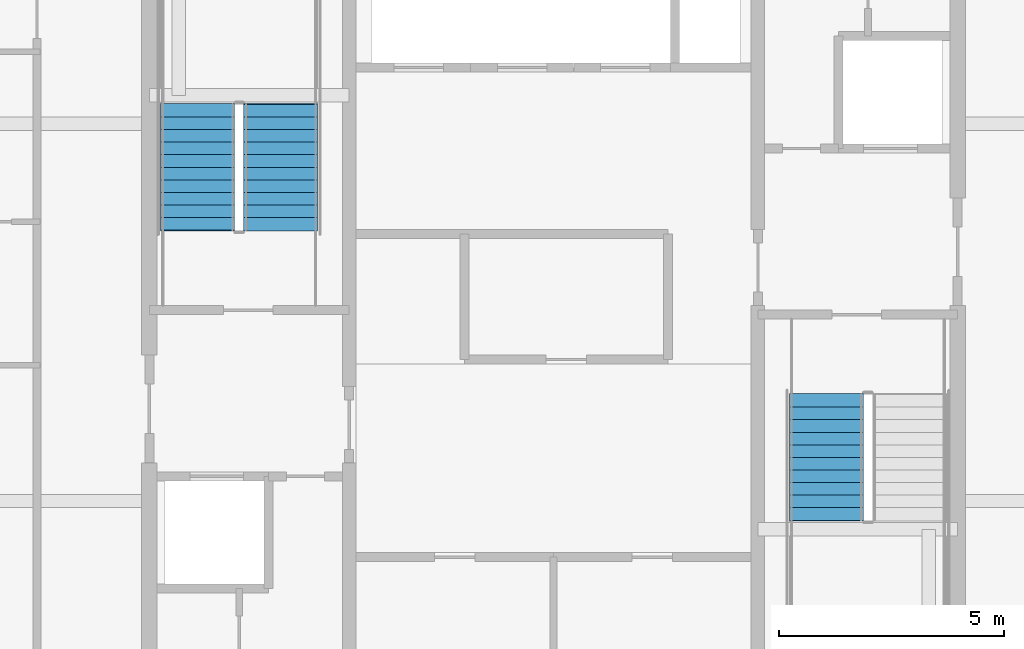
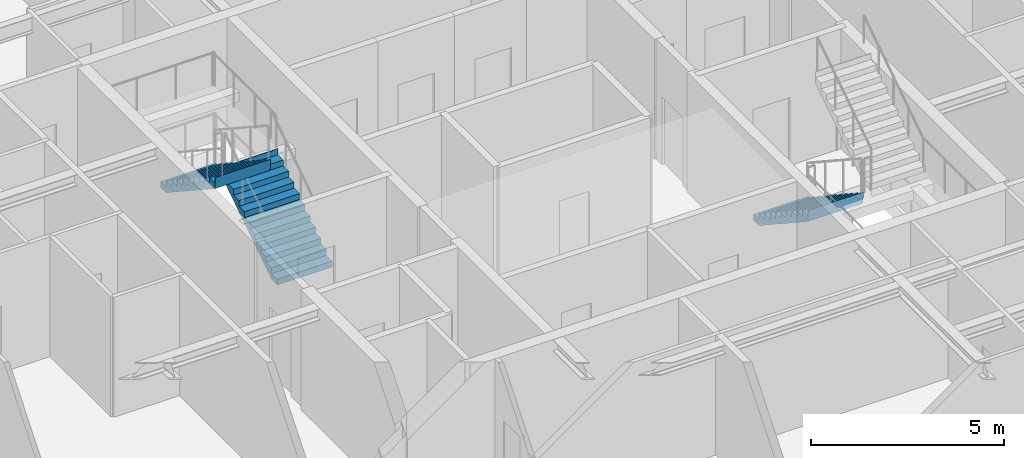
# One storey, part 30 of 36: 3 stair flights, 2 elements without a shape of their own.
"""IFC4 building model written with IfcOpenShell, lengths in metres."""

import ifcopenshell
import ifcopenshell.guid

model = None  # the IFC model being written
_history = None  # IfcOwnerHistory: only IFC2X3 demands one
_inside = {}  # id of a spatial element -> (the spatial element, [elements in it])
_under = {}  # id of a project, library or spatial element -> (it, [spatial elements below it])
_declared = {}  # id of a project -> (the project, [libraries it declares])
_typed = {}  # id of a type object -> (the type object, [elements of that type])
_made_of = {}  # id of a material, layer set ... -> (it, [elements and type objects made of it])


def new_model(schema):
    """Start an empty IFC model of exactly this schema.

    Asked for "IFC4X3", IfcOpenShell would pick the latest addendum, in which some entities
    have other attributes; the version numbers below select the first issue.
    IFC2X3 requires an IfcOwnerHistory on every rooted entity: one is made here for all.
    """
    global model, _history
    if schema == "IFC4X3":
        model = ifcopenshell.file(schema_version=(4, 3, 0, 0))
    else:
        model = ifcopenshell.file(schema=schema)
    _inside.clear()
    _under.clear()
    _declared.clear()
    _typed.clear()
    _made_of.clear()
    _history = None
    if model.schema == "IFC2X3":
        org = make("IfcOrganization", Name="unknown")
        user = make(
            "IfcPersonAndOrganization",
            ThePerson=make("IfcPerson", FamilyName="unknown"),
            TheOrganization=org,
        )
        app = make(
            "IfcApplication",
            ApplicationDeveloper=org,
            Version="unknown",
            ApplicationFullName="unknown",
            ApplicationIdentifier="unknown",
        )
        _history = make(
            "IfcOwnerHistory",
            OwningUser=user,
            OwningApplication=app,
            ChangeAction="ADDED",
            CreationDate=0,
        )
    return model


def make(cls, **values):
    """One entity of the class cls with the attributes given. An attribute that is None is left unset."""
    return model.create_entity(
        cls, **{name: value for name, value in values.items() if value is not None}
    )


def rooted(cls, **values):
    """An entity with a GlobalId (a new one), such as an element, a storey or a relation."""
    return make(cls, GlobalId=ifcopenshell.guid.new(), OwnerHistory=_history, **values)


def si_unit(unit_type, name, prefix=None):
    """IfcSIUnit, for example si_unit("LENGTHUNIT", "METRE", prefix="MILLI")."""
    return make("IfcSIUnit", UnitType=unit_type, Prefix=prefix, Name=name)


def assignment(units):
    """IfcUnitAssignment: the units of a project."""
    return None if units is None else make("IfcUnitAssignment", Units=units)


def point(xyz):
    """IfcCartesianPoint."""
    return None if xyz is None else make("IfcCartesianPoint", Coordinates=xyz)


def direction(xyz):
    """IfcDirection."""
    return None if xyz is None else make("IfcDirection", DirectionRatios=xyz)


def frame(location, z_axis=None, x_axis=None):
    """IfcAxis2Placement3D, a coordinate frame: its origin and axes. An axis left out is left unset."""
    return make(
        "IfcAxis2Placement3D",
        Location=point(location),
        Axis=direction(z_axis),
        RefDirection=direction(x_axis),
    )


def origin():
    """The frame at (0, 0, 0) with its axes left unset."""
    return frame((0.0, 0.0, 0.0))


def place(relative_to, where):
    """IfcLocalPlacement: puts the frame where relative to a parent placement (None: the world)."""
    return make(
        "IfcLocalPlacement", PlacementRelTo=relative_to, RelativePlacement=where
    )


def context(
    kind, dimensions, precision=None, world=None, true_north=None, identifier=None
):
    """IfcGeometricRepresentationContext, for example the 3D "Model" context."""
    return make(
        "IfcGeometricRepresentationContext",
        ContextIdentifier=identifier,
        ContextType=kind,
        CoordinateSpaceDimension=dimensions,
        Precision=precision,
        WorldCoordinateSystem=world,
        TrueNorth=true_north,
    )


def subcontext(parent, identifier, kind, view, scale=None):
    """IfcGeometricRepresentationSubContext, for example "Body" below "Model"."""
    return make(
        "IfcGeometricRepresentationSubContext",
        ContextIdentifier=identifier,
        ContextType=kind,
        ParentContext=parent,
        TargetScale=scale,
        TargetView=view,
    )


def project(units=None, contexts=None):
    """IfcProject with its units and contexts."""
    return rooted(
        "IfcProject",
        Name="project",
        RepresentationContexts=contexts,
        UnitsInContext=assignment(units),
    )


def spatial(cls, under=None, at=None, **own):
    """A site, building, storey or space (cls), placed at a placement, below another one or the project."""
    s = rooted(cls, ObjectPlacement=at, **own)
    if under is not None:
        _under.setdefault(under.id(), (under, []))[1].append(s)
    return s


def point_list(points):
    """IfcCartesianPointList2D or 3D."""
    cls = (
        "IfcCartesianPointList2D" if len(points[0]) == 2 else "IfcCartesianPointList3D"
    )
    return make(cls, CoordList=points)


def polygons(points, faces, closed=None, point_numbers=None):
    """IfcPolygonalFaceSet: a face is its outer loop, then its inner loops; points numbered from 1."""
    made = []
    for loops in faces:
        if len(loops) == 1:
            made.append(make("IfcIndexedPolygonalFace", CoordIndex=loops[0]))
        else:
            made.append(
                make(
                    "IfcIndexedPolygonalFaceWithVoids",
                    CoordIndex=loops[0],
                    InnerCoordIndices=loops[1:],
                )
            )
    return make(
        "IfcPolygonalFaceSet",
        Coordinates=point_list(points),
        Closed=closed,
        Faces=made,
        PnIndex=point_numbers,
    )


def shape(context_of_items, identifier, shape_type, items):
    """IfcShapeRepresentation: the items that make up one representation, for example the "Body"."""
    return make(
        "IfcShapeRepresentation",
        ContextOfItems=context_of_items,
        RepresentationIdentifier=identifier,
        RepresentationType=shape_type,
        Items=items,
    )


def material(Name=None, Category=None):
    """IfcMaterial."""
    return make("IfcMaterial", Name=Name, Category=Category)


def made_of(thing, what):
    """Note that an element or type object is made of a material, layer set ...; save() writes the relation."""
    if what is not None:
        _made_of.setdefault(what.id(), (what, []))[1].append(thing)
    return thing


def type_object(cls, material=None, **own):
    """A type object (cls), such as IfcWallType, which elements share."""
    return made_of(rooted(cls, **own), material)


def element(
    cls,
    number,
    at=None,
    inside=None,
    cuts=None,
    type_object=None,
    material=None,
    context=None,
    identifier="Body",
    shape_type=None,
    held_by="IfcProductDefinitionShape",
    body=None,
    shapes=None,
    **own,
):
    """One element of the class cls, such as IfcWall. Its Tag is "e" and its number.

    at: its placement. inside: the storey or other place that contains it. cuts: it is an
    opening in that element (IfcRelVoidsElement). A single representation is given by context,
    identifier, shape_type and body (its items); several are given by shapes. held_by: the class
    of the entity that holds the representations. save() writes the other relations.
    """
    e = rooted(cls, Tag="e%d" % number, ObjectPlacement=at, **own)
    if body is not None:
        shapes = [shape(context, identifier, shape_type, body)]
    if shapes is not None:
        e.Representation = make(held_by, Representations=shapes)
    if inside is not None:
        _inside.setdefault(inside.id(), (inside, []))[1].append(e)
    if cuts is not None:
        rooted(
            "IfcRelVoidsElement", RelatingBuildingElement=cuts, RelatedOpeningElement=e
        )
    if type_object is not None:
        _typed.setdefault(type_object.id(), (type_object, []))[1].append(e)
    return made_of(e, material)


def aggregate(whole, parts):
    """IfcRelAggregates: a whole, such as a stair, and the parts it consists of."""
    return rooted("IfcRelAggregates", RelatingObject=whole, RelatedObjects=parts)


def save(model, path):
    """Write the relations noted so far, then the file.

    IfcRelAggregates (storeys below a building ...), IfcRelContainedInSpatialStructure (elements
    in a storey), IfcRelDefinesByType, IfcRelAssociatesMaterial and IfcRelDeclares: one each for
    every whole, place, type object, material and project.
    """
    for whole, parts in _under.values():
        aggregate(whole, parts)
    for where, things in _inside.values():
        rooted(
            "IfcRelContainedInSpatialStructure",
            RelatedElements=things,
            RelatingStructure=where,
        )
    for kind, things in _typed.values():
        rooted("IfcRelDefinesByType", RelatedObjects=things, RelatingType=kind)
    for what, things in _made_of.values():
        rooted("IfcRelAssociatesMaterial", RelatedObjects=things, RelatingMaterial=what)
    for by, libraries in _declared.values():
        rooted("IfcRelDeclares", RelatingContext=by, RelatedDefinitions=libraries)
    model.write(path)


model = new_model("IFC4")

# Units and contexts
model_context = context("Model", 3, precision=1e-05, world=origin(), true_north=direction((0.0, 1.0)))
body_context = subcontext(model_context, "Body", "Model", "MODEL_VIEW")
ifc_project = project(units=[si_unit("LENGTHUNIT", "METRE"), si_unit("AREAUNIT", "SQUARE_METRE"), si_unit("VOLUMEUNIT", "CUBIC_METRE"), si_unit("PLANEANGLEUNIT", "RADIAN"), si_unit("MASSUNIT", "GRAM", prefix="KILO")], contexts=[model_context])

# Site, building, storey
site_placement = place(None, origin())
site = spatial("IfcSite", under=ifc_project, at=site_placement, CompositionType="ELEMENT")
building_placement = place(site_placement, origin())
building = spatial("IfcBuilding", under=site, at=building_placement, Name="Serunith Strait Residences", CompositionType="ELEMENT")
storey_placement = place(building_placement, frame((0.0, 0.0, 338.0)))
storey = spatial("IfcBuildingStorey", under=building, at=storey_placement, Name="L84", CompositionType="ELEMENT", Elevation=338.0)

# Stair, stair flights
ifc_material = material(Name="Concrete C50/60", Category="concrete")
stair_type_1 = type_object("IfcStairType", Name="STR-CORE-1", PredefinedType="HALF_TURN_STAIR", material=ifc_material)
stair_1_placement = place(storey_placement, origin())
stair_1 = element("IfcStair", 1, at=stair_1_placement, inside=storey, type_object=stair_type_1, Name="L84 Protected Escape Stair ST-1", PredefinedType="HALF_TURN_STAIR")
stair_flight_type_1 = type_object("IfcStairFlightType", Name="FLT-CORE-1", PredefinedType="STRAIGHT", material=ifc_material)
stair_flight_1_placement = place(storey_placement, frame((26.324951171875, 27.030029296875, 0.0), z_axis=(0.0, 0.0, 1.0), x_axis=(0.0, 1.0, 0.0)))
stair_flight_1 = element("IfcStairFlight", 2, at=stair_flight_1_placement, type_object=stair_flight_type_1, Name="ST-1 flight 1", NumberOfRisers=11, NumberOfTreads=10, PredefinedType="STRAIGHT", RiserHeight=0.184090909, TreadLength=0.28, context=body_context, shape_type="Tessellation", body=[
    polygons([(-0.02001953125, -0.824951171875, 0.0), (-0.02001953125, -0.824951171875, 0.18408203125), (0.280029296875, -0.824951171875, 0.18408203125), (0.280029296875, -0.824951171875, 0.3681640625), (0.56005859375, -0.824951171875, 0.3681640625), (0.56005859375, -0.824951171875, 0.55224609375), (0.840087890625, -0.824951171875, 0.55224609375), (0.840087890625, -0.824951171875, 0.736328125), (1.1201171875, -0.824951171875, 0.736328125), (1.1201171875, -0.824951171875, 0.92041015625), (1.39990234375, -0.824951171875, 0.92041015625), (1.39990234375, -0.824951171875, 1.1044921875), (1.679931640625, -0.824951171875, 1.1044921875), (1.679931640625, -0.824951171875, 1.28857421875), (1.9599609375, -0.824951171875, 1.28857421875), (1.9599609375, -0.824951171875, 1.47265625), (2.239990234375, -0.824951171875, 1.47265625), (2.239990234375, -0.824951171875, 1.65673828125), (2.52001953125, -0.824951171875, 1.65673828125), (2.52001953125, -0.824951171875, 1.8408203125), (2.800048828125, -0.824951171875, 1.8408203125), (2.800048828125, -0.824951171875, 2.02490234375), (2.820068359375, -0.824951171875, 2.02490234375), (2.820068359375, -0.824951171875, 1.965087890625), (2.800048828125, -0.824951171875, 1.66162109375), (0.27294921875, -0.824951171875, 0.0), (-0.02001953125, -0.41259765625, 0.0), (-0.02001953125, -0.41259765625, 0.18408203125), (0.280029296875, -0.41259765625, 0.18408203125), (0.280029296875, -0.41259765625, 0.3681640625), (0.56005859375, -0.41259765625, 0.3681640625), (0.56005859375, -0.41259765625, 0.55224609375), (0.840087890625, -0.41259765625, 0.55224609375), (0.840087890625, -0.41259765625, 0.736328125), (1.1201171875, -0.41259765625, 0.736328125), (1.1201171875, -0.41259765625, 0.92041015625), (1.39990234375, -0.41259765625, 0.92041015625), (1.39990234375, -0.41259765625, 1.1044921875), (1.679931640625, -0.41259765625, 1.1044921875), (1.679931640625, -0.41259765625, 1.28857421875), (1.9599609375, -0.41259765625, 1.28857421875), (1.9599609375, -0.41259765625, 1.47265625), (2.239990234375, -0.41259765625, 1.47265625), (2.239990234375, -0.41259765625, 1.65673828125), (2.52001953125, -0.41259765625, 1.65673828125), (2.52001953125, -0.41259765625, 1.8408203125), (2.800048828125, -0.41259765625, 1.8408203125), (2.800048828125, -0.41259765625, 2.02490234375), (2.820068359375, -0.41259765625, 2.02490234375), (2.820068359375, -0.41259765625, 1.965087890625), (2.800048828125, -0.41259765625, 1.66162109375), (0.27294921875, -0.41259765625, 0.0), (-0.02001953125, 0.0, 0.0), (-0.02001953125, 0.0, 0.18408203125), (0.280029296875, 0.0, 0.18408203125), (0.280029296875, 0.0, 0.3681640625), (0.56005859375, 0.0, 0.3681640625), (0.56005859375, 0.0, 0.55224609375), (0.840087890625, 0.0, 0.55224609375), (0.840087890625, 0.0, 0.736328125), (1.1201171875, 0.0, 0.736328125), (1.1201171875, 0.0, 0.92041015625), (1.39990234375, 0.0, 0.92041015625), (1.39990234375, 0.0, 1.1044921875), (1.679931640625, 0.0, 1.1044921875), (1.679931640625, 0.0, 1.28857421875), (1.9599609375, 0.0, 1.28857421875), (1.9599609375, 0.0, 1.47265625), (2.239990234375, 0.0, 1.47265625), (2.239990234375, 0.0, 1.65673828125), (2.52001953125, 0.0, 1.65673828125), (2.52001953125, 0.0, 1.8408203125), (2.800048828125, 0.0, 1.8408203125), (2.800048828125, 0.0, 2.02490234375), (2.820068359375, 0.0, 2.02490234375), (2.820068359375, 0.0, 1.965087890625), (2.800048828125, 0.0, 1.66162109375), (0.27294921875, 0.0, 0.0), (-0.02001953125, 0.41259765625, 0.0), (-0.02001953125, 0.41259765625, 0.18408203125), (0.280029296875, 0.41259765625, 0.18408203125), (0.280029296875, 0.41259765625, 0.3681640625), (0.56005859375, 0.41259765625, 0.3681640625), (0.56005859375, 0.41259765625, 0.55224609375), (0.840087890625, 0.41259765625, 0.55224609375), (0.840087890625, 0.41259765625, 0.736328125), (1.1201171875, 0.41259765625, 0.736328125), (1.1201171875, 0.41259765625, 0.92041015625), (1.39990234375, 0.41259765625, 0.92041015625), (1.39990234375, 0.41259765625, 1.1044921875), (1.679931640625, 0.41259765625, 1.1044921875), (1.679931640625, 0.41259765625, 1.28857421875), (1.9599609375, 0.41259765625, 1.28857421875), (1.9599609375, 0.41259765625, 1.47265625), (2.239990234375, 0.41259765625, 1.47265625), (2.239990234375, 0.41259765625, 1.65673828125), (2.52001953125, 0.41259765625, 1.65673828125), (2.52001953125, 0.41259765625, 1.8408203125), (2.800048828125, 0.41259765625, 1.8408203125), (2.800048828125, 0.41259765625, 2.02490234375), (2.820068359375, 0.41259765625, 2.02490234375), (2.820068359375, 0.41259765625, 1.965087890625), (2.800048828125, 0.41259765625, 1.66162109375), (0.27294921875, 0.41259765625, 0.0), (-0.02001953125, 0.824951171875, 0.0), (-0.02001953125, 0.824951171875, 0.18408203125), (0.280029296875, 0.824951171875, 0.18408203125), (0.280029296875, 0.824951171875, 0.3681640625), (0.56005859375, 0.824951171875, 0.3681640625), (0.56005859375, 0.824951171875, 0.55224609375), (0.840087890625, 0.824951171875, 0.55224609375), (0.840087890625, 0.824951171875, 0.736328125), (1.1201171875, 0.824951171875, 0.736328125), (1.1201171875, 0.824951171875, 0.92041015625), (1.39990234375, 0.824951171875, 0.92041015625), (1.39990234375, 0.824951171875, 1.1044921875), (1.679931640625, 0.824951171875, 1.1044921875), (1.679931640625, 0.824951171875, 1.28857421875), (1.9599609375, 0.824951171875, 1.28857421875), (1.9599609375, 0.824951171875, 1.47265625), (2.239990234375, 0.824951171875, 1.47265625), (2.239990234375, 0.824951171875, 1.65673828125), (2.52001953125, 0.824951171875, 1.65673828125), (2.52001953125, 0.824951171875, 1.8408203125), (2.800048828125, 0.824951171875, 1.8408203125), (2.800048828125, 0.824951171875, 2.02490234375), (2.820068359375, 0.824951171875, 2.02490234375), (2.820068359375, 0.824951171875, 1.965087890625), (2.800048828125, 0.824951171875, 1.66162109375), (0.27294921875, 0.824951171875, 0.0)], [[[1, 2, 28, 27]], [[2, 3, 29, 28]], [[3, 4, 30, 29]], [[4, 5, 31, 30]], [[5, 6, 32, 31]], [[6, 7, 33, 32]], [[7, 8, 34, 33]], [[8, 9, 35, 34]], [[9, 10, 36, 35]], [[10, 11, 37, 36]], [[11, 12, 38, 37]], [[12, 13, 39, 38]], [[13, 14, 40, 39]], [[14, 15, 41, 40]], [[15, 16, 42, 41]], [[16, 17, 43, 42]], [[17, 18, 44, 43]], [[18, 19, 45, 44]], [[19, 20, 46, 45]], [[20, 21, 47, 46]], [[21, 22, 48, 47]], [[22, 23, 49, 48]], [[23, 24, 50, 49]], [[24, 25, 51, 50]], [[25, 26, 52, 51]], [[26, 1, 27, 52]], [[27, 28, 54, 53]], [[28, 29, 55, 54]], [[29, 30, 56, 55]], [[30, 31, 57, 56]], [[31, 32, 58, 57]], [[32, 33, 59, 58]], [[33, 34, 60, 59]], [[34, 35, 61, 60]], [[35, 36, 62, 61]], [[36, 37, 63, 62]], [[37, 38, 64, 63]], [[38, 39, 65, 64]], [[39, 40, 66, 65]], [[40, 41, 67, 66]], [[41, 42, 68, 67]], [[42, 43, 69, 68]], [[43, 44, 70, 69]], [[44, 45, 71, 70]], [[45, 46, 72, 71]], [[46, 47, 73, 72]], [[47, 48, 74, 73]], [[48, 49, 75, 74]], [[49, 50, 76, 75]], [[50, 51, 77, 76]], [[51, 52, 78, 77]], [[52, 27, 53, 78]], [[53, 54, 80, 79]], [[54, 55, 81, 80]], [[55, 56, 82, 81]], [[56, 57, 83, 82]], [[57, 58, 84, 83]], [[58, 59, 85, 84]], [[59, 60, 86, 85]], [[60, 61, 87, 86]], [[61, 62, 88, 87]], [[62, 63, 89, 88]], [[63, 64, 90, 89]], [[64, 65, 91, 90]], [[65, 66, 92, 91]], [[66, 67, 93, 92]], [[67, 68, 94, 93]], [[68, 69, 95, 94]], [[69, 70, 96, 95]], [[70, 71, 97, 96]], [[71, 72, 98, 97]], [[72, 73, 99, 98]], [[73, 74, 100, 99]], [[74, 75, 101, 100]], [[75, 76, 102, 101]], [[76, 77, 103, 102]], [[77, 78, 104, 103]], [[78, 53, 79, 104]], [[79, 80, 106, 105]], [[80, 81, 107, 106]], [[81, 82, 108, 107]], [[82, 83, 109, 108]], [[83, 84, 110, 109]], [[84, 85, 111, 110]], [[85, 86, 112, 111]], [[86, 87, 113, 112]], [[87, 88, 114, 113]], [[88, 89, 115, 114]], [[89, 90, 116, 115]], [[90, 91, 117, 116]], [[91, 92, 118, 117]], [[92, 93, 119, 118]], [[93, 94, 120, 119]], [[94, 95, 121, 120]], [[95, 96, 122, 121]], [[96, 97, 123, 122]], [[97, 98, 124, 123]], [[98, 99, 125, 124]], [[99, 100, 126, 125]], [[100, 101, 127, 126]], [[101, 102, 128, 127]], [[102, 103, 129, 128]], [[103, 104, 130, 129]], [[104, 79, 105, 130]], [[26, 25, 24, 23, 22, 21, 20, 19, 18, 17, 16, 15, 14, 13, 12, 11, 10, 9, 8, 7, 6, 5, 4, 3, 2, 1]], [[105, 106, 107, 108, 109, 110, 111, 112, 113, 114, 115, 116, 117, 118, 119, 120, 121, 122, 123, 124, 125, 126, 127, 128, 129, 130]]], closed=True),
])
stair_flight_2_placement = place(storey_placement, frame((24.47509765625, 29.830078125, 2.02490234375), z_axis=(0.0, 0.0, 1.0), x_axis=(0.0, -1.0, 0.0)))
stair_flight_2 = element("IfcStairFlight", 3, at=stair_flight_2_placement, type_object=stair_flight_type_1, Name="ST-1 flight 2", NumberOfRisers=11, NumberOfTreads=10, PredefinedType="STRAIGHT", RiserHeight=0.184090909, TreadLength=0.28, context=body_context, shape_type="Tessellation", body=[
    polygons([(-0.02001953125, -0.824951171875, 0.0), (-0.02001953125, -0.824951171875, 0.18408203125), (0.280029296875, -0.824951171875, 0.18408203125), (0.280029296875, -0.824951171875, 0.3681640625), (0.56005859375, -0.824951171875, 0.3681640625), (0.56005859375, -0.824951171875, 0.55224609375), (0.840087890625, -0.824951171875, 0.55224609375), (0.840087890625, -0.824951171875, 0.736328125), (1.1201171875, -0.824951171875, 0.736328125), (1.1201171875, -0.824951171875, 0.92041015625), (1.39990234375, -0.824951171875, 0.92041015625), (1.39990234375, -0.824951171875, 1.1044921875), (1.679931640625, -0.824951171875, 1.1044921875), (1.679931640625, -0.824951171875, 1.28857421875), (1.9599609375, -0.824951171875, 1.28857421875), (1.9599609375, -0.824951171875, 1.47265625), (2.239990234375, -0.824951171875, 1.47265625), (2.239990234375, -0.824951171875, 1.65673828125), (2.52001953125, -0.824951171875, 1.65673828125), (2.52001953125, -0.824951171875, 1.8408203125), (2.800048828125, -0.824951171875, 1.8408203125), (2.800048828125, -0.824951171875, 2.02490234375), (2.820068359375, -0.824951171875, 2.02490234375), (2.820068359375, -0.824951171875, 1.965087890625), (2.800048828125, -0.824951171875, 1.66162109375), (0.27294921875, -0.824951171875, 0.0), (-0.02001953125, -0.41259765625, 0.0), (-0.02001953125, -0.41259765625, 0.18408203125), (0.280029296875, -0.41259765625, 0.18408203125), (0.280029296875, -0.41259765625, 0.3681640625), (0.56005859375, -0.41259765625, 0.3681640625), (0.56005859375, -0.41259765625, 0.55224609375), (0.840087890625, -0.41259765625, 0.55224609375), (0.840087890625, -0.41259765625, 0.736328125), (1.1201171875, -0.41259765625, 0.736328125), (1.1201171875, -0.41259765625, 0.92041015625), (1.39990234375, -0.41259765625, 0.92041015625), (1.39990234375, -0.41259765625, 1.1044921875), (1.679931640625, -0.41259765625, 1.1044921875), (1.679931640625, -0.41259765625, 1.28857421875), (1.9599609375, -0.41259765625, 1.28857421875), (1.9599609375, -0.41259765625, 1.47265625), (2.239990234375, -0.41259765625, 1.47265625), (2.239990234375, -0.41259765625, 1.65673828125), (2.52001953125, -0.41259765625, 1.65673828125), (2.52001953125, -0.41259765625, 1.8408203125), (2.800048828125, -0.41259765625, 1.8408203125), (2.800048828125, -0.41259765625, 2.02490234375), (2.820068359375, -0.41259765625, 2.02490234375), (2.820068359375, -0.41259765625, 1.965087890625), (2.800048828125, -0.41259765625, 1.66162109375), (0.27294921875, -0.41259765625, 0.0), (-0.02001953125, 0.0, 0.0), (-0.02001953125, 0.0, 0.18408203125), (0.280029296875, 0.0, 0.18408203125), (0.280029296875, 0.0, 0.3681640625), (0.56005859375, 0.0, 0.3681640625), (0.56005859375, 0.0, 0.55224609375), (0.840087890625, 0.0, 0.55224609375), (0.840087890625, 0.0, 0.736328125), (1.1201171875, 0.0, 0.736328125), (1.1201171875, 0.0, 0.92041015625), (1.39990234375, 0.0, 0.92041015625), (1.39990234375, 0.0, 1.1044921875), (1.679931640625, 0.0, 1.1044921875), (1.679931640625, 0.0, 1.28857421875), (1.9599609375, 0.0, 1.28857421875), (1.9599609375, 0.0, 1.47265625), (2.239990234375, 0.0, 1.47265625), (2.239990234375, 0.0, 1.65673828125), (2.52001953125, 0.0, 1.65673828125), (2.52001953125, 0.0, 1.8408203125), (2.800048828125, 0.0, 1.8408203125), (2.800048828125, 0.0, 2.02490234375), (2.820068359375, 0.0, 2.02490234375), (2.820068359375, 0.0, 1.965087890625), (2.800048828125, 0.0, 1.66162109375), (0.27294921875, 0.0, 0.0), (-0.02001953125, 0.41259765625, 0.0), (-0.02001953125, 0.41259765625, 0.18408203125), (0.280029296875, 0.41259765625, 0.18408203125), (0.280029296875, 0.41259765625, 0.3681640625), (0.56005859375, 0.41259765625, 0.3681640625), (0.56005859375, 0.41259765625, 0.55224609375), (0.840087890625, 0.41259765625, 0.55224609375), (0.840087890625, 0.41259765625, 0.736328125), (1.1201171875, 0.41259765625, 0.736328125), (1.1201171875, 0.41259765625, 0.92041015625), (1.39990234375, 0.41259765625, 0.92041015625), (1.39990234375, 0.41259765625, 1.1044921875), (1.679931640625, 0.41259765625, 1.1044921875), (1.679931640625, 0.41259765625, 1.28857421875), (1.9599609375, 0.41259765625, 1.28857421875), (1.9599609375, 0.41259765625, 1.47265625), (2.239990234375, 0.41259765625, 1.47265625), (2.239990234375, 0.41259765625, 1.65673828125), (2.52001953125, 0.41259765625, 1.65673828125), (2.52001953125, 0.41259765625, 1.8408203125), (2.800048828125, 0.41259765625, 1.8408203125), (2.800048828125, 0.41259765625, 2.02490234375), (2.820068359375, 0.41259765625, 2.02490234375), (2.820068359375, 0.41259765625, 1.965087890625), (2.800048828125, 0.41259765625, 1.66162109375), (0.27294921875, 0.41259765625, 0.0), (-0.02001953125, 0.824951171875, 0.0), (-0.02001953125, 0.824951171875, 0.18408203125), (0.280029296875, 0.824951171875, 0.18408203125), (0.280029296875, 0.824951171875, 0.3681640625), (0.56005859375, 0.824951171875, 0.3681640625), (0.56005859375, 0.824951171875, 0.55224609375), (0.840087890625, 0.824951171875, 0.55224609375), (0.840087890625, 0.824951171875, 0.736328125), (1.1201171875, 0.824951171875, 0.736328125), (1.1201171875, 0.824951171875, 0.92041015625), (1.39990234375, 0.824951171875, 0.92041015625), (1.39990234375, 0.824951171875, 1.1044921875), (1.679931640625, 0.824951171875, 1.1044921875), (1.679931640625, 0.824951171875, 1.28857421875), (1.9599609375, 0.824951171875, 1.28857421875), (1.9599609375, 0.824951171875, 1.47265625), (2.239990234375, 0.824951171875, 1.47265625), (2.239990234375, 0.824951171875, 1.65673828125), (2.52001953125, 0.824951171875, 1.65673828125), (2.52001953125, 0.824951171875, 1.8408203125), (2.800048828125, 0.824951171875, 1.8408203125), (2.800048828125, 0.824951171875, 2.02490234375), (2.820068359375, 0.824951171875, 2.02490234375), (2.820068359375, 0.824951171875, 1.965087890625), (2.800048828125, 0.824951171875, 1.66162109375), (0.27294921875, 0.824951171875, 0.0)], [[[1, 2, 28, 27]], [[2, 3, 29, 28]], [[3, 4, 30, 29]], [[4, 5, 31, 30]], [[5, 6, 32, 31]], [[6, 7, 33, 32]], [[7, 8, 34, 33]], [[8, 9, 35, 34]], [[9, 10, 36, 35]], [[10, 11, 37, 36]], [[11, 12, 38, 37]], [[12, 13, 39, 38]], [[13, 14, 40, 39]], [[14, 15, 41, 40]], [[15, 16, 42, 41]], [[16, 17, 43, 42]], [[17, 18, 44, 43]], [[18, 19, 45, 44]], [[19, 20, 46, 45]], [[20, 21, 47, 46]], [[21, 22, 48, 47]], [[22, 23, 49, 48]], [[23, 24, 50, 49]], [[24, 25, 51, 50]], [[25, 26, 52, 51]], [[26, 1, 27, 52]], [[27, 28, 54, 53]], [[28, 29, 55, 54]], [[29, 30, 56, 55]], [[30, 31, 57, 56]], [[31, 32, 58, 57]], [[32, 33, 59, 58]], [[33, 34, 60, 59]], [[34, 35, 61, 60]], [[35, 36, 62, 61]], [[36, 37, 63, 62]], [[37, 38, 64, 63]], [[38, 39, 65, 64]], [[39, 40, 66, 65]], [[40, 41, 67, 66]], [[41, 42, 68, 67]], [[42, 43, 69, 68]], [[43, 44, 70, 69]], [[44, 45, 71, 70]], [[45, 46, 72, 71]], [[46, 47, 73, 72]], [[47, 48, 74, 73]], [[48, 49, 75, 74]], [[49, 50, 76, 75]], [[50, 51, 77, 76]], [[51, 52, 78, 77]], [[52, 27, 53, 78]], [[53, 54, 80, 79]], [[54, 55, 81, 80]], [[55, 56, 82, 81]], [[56, 57, 83, 82]], [[57, 58, 84, 83]], [[58, 59, 85, 84]], [[59, 60, 86, 85]], [[60, 61, 87, 86]], [[61, 62, 88, 87]], [[62, 63, 89, 88]], [[63, 64, 90, 89]], [[64, 65, 91, 90]], [[65, 66, 92, 91]], [[66, 67, 93, 92]], [[67, 68, 94, 93]], [[68, 69, 95, 94]], [[69, 70, 96, 95]], [[70, 71, 97, 96]], [[71, 72, 98, 97]], [[72, 73, 99, 98]], [[73, 74, 100, 99]], [[74, 75, 101, 100]], [[75, 76, 102, 101]], [[76, 77, 103, 102]], [[77, 78, 104, 103]], [[78, 53, 79, 104]], [[79, 80, 106, 105]], [[80, 81, 107, 106]], [[81, 82, 108, 107]], [[82, 83, 109, 108]], [[83, 84, 110, 109]], [[84, 85, 111, 110]], [[85, 86, 112, 111]], [[86, 87, 113, 112]], [[87, 88, 114, 113]], [[88, 89, 115, 114]], [[89, 90, 116, 115]], [[90, 91, 117, 116]], [[91, 92, 118, 117]], [[92, 93, 119, 118]], [[93, 94, 120, 119]], [[94, 95, 121, 120]], [[95, 96, 122, 121]], [[96, 97, 123, 122]], [[97, 98, 124, 123]], [[98, 99, 125, 124]], [[99, 100, 126, 125]], [[100, 101, 127, 126]], [[101, 102, 128, 127]], [[102, 103, 129, 128]], [[103, 104, 130, 129]], [[104, 79, 105, 130]], [[26, 25, 24, 23, 22, 21, 20, 19, 18, 17, 16, 15, 14, 13, 12, 11, 10, 9, 8, 7, 6, 5, 4, 3, 2, 1]], [[105, 106, 107, 108, 109, 110, 111, 112, 113, 114, 115, 116, 117, 118, 119, 120, 121, 122, 123, 124, 125, 126, 127, 128, 129, 130]]], closed=True),
])
aggregate(stair_1, [stair_flight_1, stair_flight_2])

# Stair, stair flight
stair_type_2 = type_object("IfcStairType", Name="STR-CORE-2", PredefinedType="HALF_TURN_STAIR", material=ifc_material)
stair_2_placement = place(storey_placement, origin())
stair_2 = element("IfcStair", 4, at=stair_2_placement, inside=storey, type_object=stair_type_2, Name="L84 Protected Escape Stair ST-2", PredefinedType="HALF_TURN_STAIR")
stair_flight_type_2 = type_object("IfcStairFlightType", Name="FLT-CORE-2", PredefinedType="STRAIGHT", material=ifc_material)
stair_flight_3_placement = place(storey_placement, frame((38.47509765625, 23.3701171875, 0.0), z_axis=(0.0, 0.0, 1.0), x_axis=(0.0, -1.0, 0.0)))
stair_flight_3 = element("IfcStairFlight", 5, at=stair_flight_3_placement, type_object=stair_flight_type_2, Name="ST-2 flight 1", NumberOfRisers=11, NumberOfTreads=10, PredefinedType="STRAIGHT", RiserHeight=0.184090909, TreadLength=0.28, context=body_context, shape_type="Tessellation", body=[
    polygons([(-0.02001953125, -0.824951171875, 0.0), (-0.02001953125, -0.824951171875, 0.18408203125), (0.280029296875, -0.824951171875, 0.18408203125), (0.280029296875, -0.824951171875, 0.3681640625), (0.56005859375, -0.824951171875, 0.3681640625), (0.56005859375, -0.824951171875, 0.55224609375), (0.840087890625, -0.824951171875, 0.55224609375), (0.840087890625, -0.824951171875, 0.736328125), (1.1201171875, -0.824951171875, 0.736328125), (1.1201171875, -0.824951171875, 0.92041015625), (1.39990234375, -0.824951171875, 0.92041015625), (1.39990234375, -0.824951171875, 1.1044921875), (1.679931640625, -0.824951171875, 1.1044921875), (1.679931640625, -0.824951171875, 1.28857421875), (1.9599609375, -0.824951171875, 1.28857421875), (1.9599609375, -0.824951171875, 1.47265625), (2.239990234375, -0.824951171875, 1.47265625), (2.239990234375, -0.824951171875, 1.65673828125), (2.52001953125, -0.824951171875, 1.65673828125), (2.52001953125, -0.824951171875, 1.8408203125), (2.800048828125, -0.824951171875, 1.8408203125), (2.800048828125, -0.824951171875, 2.02490234375), (2.820068359375, -0.824951171875, 2.02490234375), (2.820068359375, -0.824951171875, 1.965087890625), (2.800048828125, -0.824951171875, 1.66162109375), (0.27294921875, -0.824951171875, 0.0), (-0.02001953125, -0.41259765625, 0.0), (-0.02001953125, -0.41259765625, 0.18408203125), (0.280029296875, -0.41259765625, 0.18408203125), (0.280029296875, -0.41259765625, 0.3681640625), (0.56005859375, -0.41259765625, 0.3681640625), (0.56005859375, -0.41259765625, 0.55224609375), (0.840087890625, -0.41259765625, 0.55224609375), (0.840087890625, -0.41259765625, 0.736328125), (1.1201171875, -0.41259765625, 0.736328125), (1.1201171875, -0.41259765625, 0.92041015625), (1.39990234375, -0.41259765625, 0.92041015625), (1.39990234375, -0.41259765625, 1.1044921875), (1.679931640625, -0.41259765625, 1.1044921875), (1.679931640625, -0.41259765625, 1.28857421875), (1.9599609375, -0.41259765625, 1.28857421875), (1.9599609375, -0.41259765625, 1.47265625), (2.239990234375, -0.41259765625, 1.47265625), (2.239990234375, -0.41259765625, 1.65673828125), (2.52001953125, -0.41259765625, 1.65673828125), (2.52001953125, -0.41259765625, 1.8408203125), (2.800048828125, -0.41259765625, 1.8408203125), (2.800048828125, -0.41259765625, 2.02490234375), (2.820068359375, -0.41259765625, 2.02490234375), (2.820068359375, -0.41259765625, 1.965087890625), (2.800048828125, -0.41259765625, 1.66162109375), (0.27294921875, -0.41259765625, 0.0), (-0.02001953125, 0.0, 0.0), (-0.02001953125, 0.0, 0.18408203125), (0.280029296875, 0.0, 0.18408203125), (0.280029296875, 0.0, 0.3681640625), (0.56005859375, 0.0, 0.3681640625), (0.56005859375, 0.0, 0.55224609375), (0.840087890625, 0.0, 0.55224609375), (0.840087890625, 0.0, 0.736328125), (1.1201171875, 0.0, 0.736328125), (1.1201171875, 0.0, 0.92041015625), (1.39990234375, 0.0, 0.92041015625), (1.39990234375, 0.0, 1.1044921875), (1.679931640625, 0.0, 1.1044921875), (1.679931640625, 0.0, 1.28857421875), (1.9599609375, 0.0, 1.28857421875), (1.9599609375, 0.0, 1.47265625), (2.239990234375, 0.0, 1.47265625), (2.239990234375, 0.0, 1.65673828125), (2.52001953125, 0.0, 1.65673828125), (2.52001953125, 0.0, 1.8408203125), (2.800048828125, 0.0, 1.8408203125), (2.800048828125, 0.0, 2.02490234375), (2.820068359375, 0.0, 2.02490234375), (2.820068359375, 0.0, 1.965087890625), (2.800048828125, 0.0, 1.66162109375), (0.27294921875, 0.0, 0.0), (-0.02001953125, 0.41259765625, 0.0), (-0.02001953125, 0.41259765625, 0.18408203125), (0.280029296875, 0.41259765625, 0.18408203125), (0.280029296875, 0.41259765625, 0.3681640625), (0.56005859375, 0.41259765625, 0.3681640625), (0.56005859375, 0.41259765625, 0.55224609375), (0.840087890625, 0.41259765625, 0.55224609375), (0.840087890625, 0.41259765625, 0.736328125), (1.1201171875, 0.41259765625, 0.736328125), (1.1201171875, 0.41259765625, 0.92041015625), (1.39990234375, 0.41259765625, 0.92041015625), (1.39990234375, 0.41259765625, 1.1044921875), (1.679931640625, 0.41259765625, 1.1044921875), (1.679931640625, 0.41259765625, 1.28857421875), (1.9599609375, 0.41259765625, 1.28857421875), (1.9599609375, 0.41259765625, 1.47265625), (2.239990234375, 0.41259765625, 1.47265625), (2.239990234375, 0.41259765625, 1.65673828125), (2.52001953125, 0.41259765625, 1.65673828125), (2.52001953125, 0.41259765625, 1.8408203125), (2.800048828125, 0.41259765625, 1.8408203125), (2.800048828125, 0.41259765625, 2.02490234375), (2.820068359375, 0.41259765625, 2.02490234375), (2.820068359375, 0.41259765625, 1.965087890625), (2.800048828125, 0.41259765625, 1.66162109375), (0.27294921875, 0.41259765625, 0.0), (-0.02001953125, 0.824951171875, 0.0), (-0.02001953125, 0.824951171875, 0.18408203125), (0.280029296875, 0.824951171875, 0.18408203125), (0.280029296875, 0.824951171875, 0.3681640625), (0.56005859375, 0.824951171875, 0.3681640625), (0.56005859375, 0.824951171875, 0.55224609375), (0.840087890625, 0.824951171875, 0.55224609375), (0.840087890625, 0.824951171875, 0.736328125), (1.1201171875, 0.824951171875, 0.736328125), (1.1201171875, 0.824951171875, 0.92041015625), (1.39990234375, 0.824951171875, 0.92041015625), (1.39990234375, 0.824951171875, 1.1044921875), (1.679931640625, 0.824951171875, 1.1044921875), (1.679931640625, 0.824951171875, 1.28857421875), (1.9599609375, 0.824951171875, 1.28857421875), (1.9599609375, 0.824951171875, 1.47265625), (2.239990234375, 0.824951171875, 1.47265625), (2.239990234375, 0.824951171875, 1.65673828125), (2.52001953125, 0.824951171875, 1.65673828125), (2.52001953125, 0.824951171875, 1.8408203125), (2.800048828125, 0.824951171875, 1.8408203125), (2.800048828125, 0.824951171875, 2.02490234375), (2.820068359375, 0.824951171875, 2.02490234375), (2.820068359375, 0.824951171875, 1.965087890625), (2.800048828125, 0.824951171875, 1.66162109375), (0.27294921875, 0.824951171875, 0.0)], [[[1, 2, 28, 27]], [[2, 3, 29, 28]], [[3, 4, 30, 29]], [[4, 5, 31, 30]], [[5, 6, 32, 31]], [[6, 7, 33, 32]], [[7, 8, 34, 33]], [[8, 9, 35, 34]], [[9, 10, 36, 35]], [[10, 11, 37, 36]], [[11, 12, 38, 37]], [[12, 13, 39, 38]], [[13, 14, 40, 39]], [[14, 15, 41, 40]], [[15, 16, 42, 41]], [[16, 17, 43, 42]], [[17, 18, 44, 43]], [[18, 19, 45, 44]], [[19, 20, 46, 45]], [[20, 21, 47, 46]], [[21, 22, 48, 47]], [[22, 23, 49, 48]], [[23, 24, 50, 49]], [[24, 25, 51, 50]], [[25, 26, 52, 51]], [[26, 1, 27, 52]], [[27, 28, 54, 53]], [[28, 29, 55, 54]], [[29, 30, 56, 55]], [[30, 31, 57, 56]], [[31, 32, 58, 57]], [[32, 33, 59, 58]], [[33, 34, 60, 59]], [[34, 35, 61, 60]], [[35, 36, 62, 61]], [[36, 37, 63, 62]], [[37, 38, 64, 63]], [[38, 39, 65, 64]], [[39, 40, 66, 65]], [[40, 41, 67, 66]], [[41, 42, 68, 67]], [[42, 43, 69, 68]], [[43, 44, 70, 69]], [[44, 45, 71, 70]], [[45, 46, 72, 71]], [[46, 47, 73, 72]], [[47, 48, 74, 73]], [[48, 49, 75, 74]], [[49, 50, 76, 75]], [[50, 51, 77, 76]], [[51, 52, 78, 77]], [[52, 27, 53, 78]], [[53, 54, 80, 79]], [[54, 55, 81, 80]], [[55, 56, 82, 81]], [[56, 57, 83, 82]], [[57, 58, 84, 83]], [[58, 59, 85, 84]], [[59, 60, 86, 85]], [[60, 61, 87, 86]], [[61, 62, 88, 87]], [[62, 63, 89, 88]], [[63, 64, 90, 89]], [[64, 65, 91, 90]], [[65, 66, 92, 91]], [[66, 67, 93, 92]], [[67, 68, 94, 93]], [[68, 69, 95, 94]], [[69, 70, 96, 95]], [[70, 71, 97, 96]], [[71, 72, 98, 97]], [[72, 73, 99, 98]], [[73, 74, 100, 99]], [[74, 75, 101, 100]], [[75, 76, 102, 101]], [[76, 77, 103, 102]], [[77, 78, 104, 103]], [[78, 53, 79, 104]], [[79, 80, 106, 105]], [[80, 81, 107, 106]], [[81, 82, 108, 107]], [[82, 83, 109, 108]], [[83, 84, 110, 109]], [[84, 85, 111, 110]], [[85, 86, 112, 111]], [[86, 87, 113, 112]], [[87, 88, 114, 113]], [[88, 89, 115, 114]], [[89, 90, 116, 115]], [[90, 91, 117, 116]], [[91, 92, 118, 117]], [[92, 93, 119, 118]], [[93, 94, 120, 119]], [[94, 95, 121, 120]], [[95, 96, 122, 121]], [[96, 97, 123, 122]], [[97, 98, 124, 123]], [[98, 99, 125, 124]], [[99, 100, 126, 125]], [[100, 101, 127, 126]], [[101, 102, 128, 127]], [[102, 103, 129, 128]], [[103, 104, 130, 129]], [[104, 79, 105, 130]], [[26, 25, 24, 23, 22, 21, 20, 19, 18, 17, 16, 15, 14, 13, 12, 11, 10, 9, 8, 7, 6, 5, 4, 3, 2, 1]], [[105, 106, 107, 108, 109, 110, 111, 112, 113, 114, 115, 116, 117, 118, 119, 120, 121, 122, 123, 124, 125, 126, 127, 128, 129, 130]]], closed=True),
])
aggregate(stair_2, [stair_flight_3])

save(model, "model.ifc")
